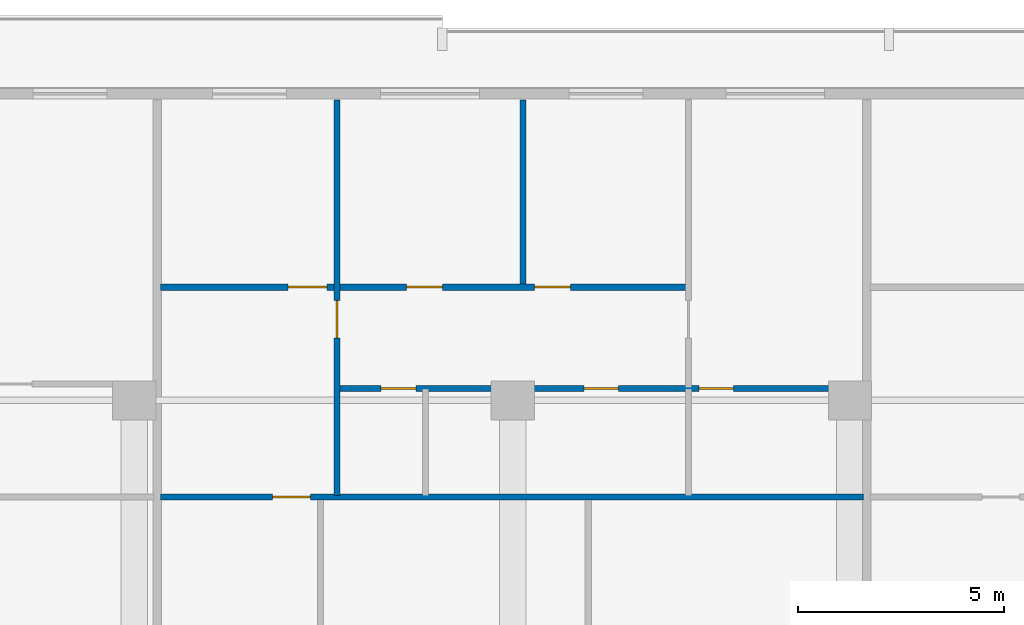
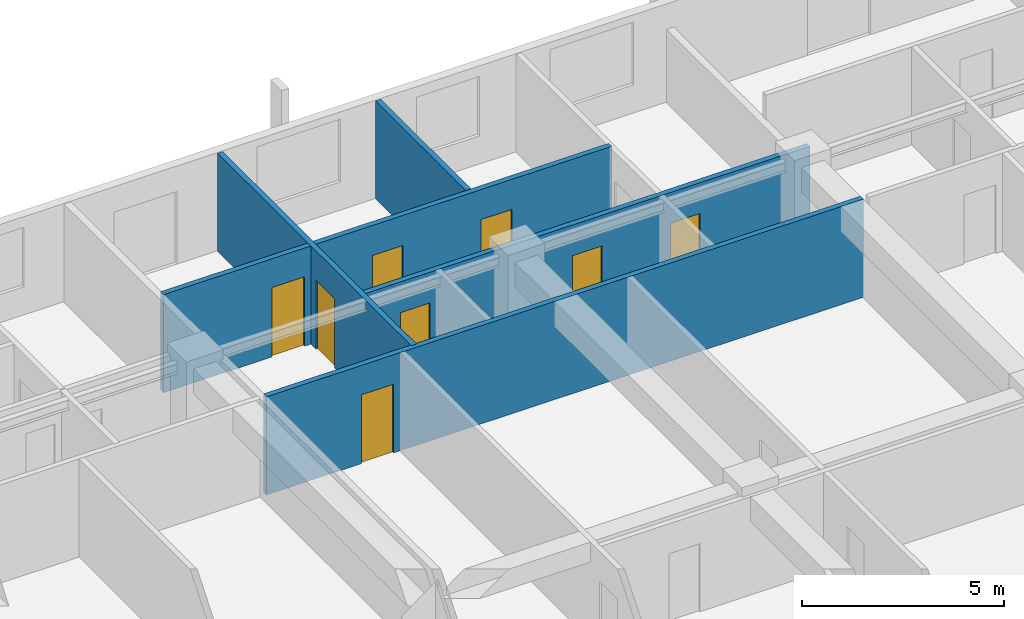
# One storey, part 15 of 23: 8 doors, 5 walls, 8 openings.
"""IFC4 building model written with IfcOpenShell, lengths in metres."""

from ifc_helpers import new_model, si_unit, direction, frame, frame_2d, origin, place, context, subcontext, project, spatial, rectangle, extrude, material, layer, layer_set, type_object, element, fill, save


model = new_model("IFC4")

# Units and contexts
model_context = context("Model", 3, precision=1e-05, world=origin(), true_north=direction((0.0, 1.0)))
body_context = subcontext(model_context, "Body", "Model", "MODEL_VIEW")
ifc_project = project(units=[si_unit("LENGTHUNIT", "METRE"), si_unit("AREAUNIT", "SQUARE_METRE"), si_unit("VOLUMEUNIT", "CUBIC_METRE"), si_unit("PLANEANGLEUNIT", "RADIAN"), si_unit("MASSUNIT", "GRAM", prefix="KILO")], contexts=[model_context])

# Site, building, storey
site_placement = place(None, origin())
site = spatial("IfcSite", under=ifc_project, at=site_placement, CompositionType="ELEMENT")
building_placement = place(site_placement, origin())
building = spatial("IfcBuilding", under=site, at=building_placement, Name="Korimba Cascade Residences", CompositionType="ELEMENT")
storey_placement = place(building_placement, frame((0.0, 0.0, 50.0)))
storey = spatial("IfcBuildingStorey", under=building, at=storey_placement, Name="L13", CompositionType="ELEMENT", Elevation=50.0)

# Wall
ifc_material_1 = material(Name="Insulated Acoustic Stud Partition", Category="gypsum")
ifc_layer = layer(ifc_material_1, 0.14990234375)
ifc_layer_set = layer_set([ifc_layer], Name="Insulated Acoustic Stud Partition")
wall_type = type_object("IfcWallType", Name="WAL-PART-150", PredefinedType="PARTITIONING", material=ifc_layer_set)
wall_1_placement = place(storey_placement, frame((112.35107421875, 94.030029296875, 0.0), z_axis=(0.0, 0.0, 1.0), x_axis=(0.0, 1.0, 0.0)))
element("IfcWall", 1, at=wall_1_placement, inside=storey, type_object=wall_type, Name="L13 Partition Wall WAL-L13-T1-U04-VSTD", PredefinedType="PARTITIONING", context=body_context, shape_type="SweptSolid", body=[
    extrude(rectangle(XDim=4.469970703125, YDim=0.14990234375, at=frame_2d((2.23486328125, 0.0))), origin(), (0.0, 0.0, 1.0), 2.969970703125),
])

# Wall, opening, door
wall_2_placement = place(storey_placement, frame((107.827392578125, 88.889892578125, 0.0), z_axis=(0.0, 0.0, 1.0), x_axis=(0.0, 1.0, 0.0)))
wall_2 = element("IfcWall", 2, at=wall_2_placement, inside=storey, type_object=wall_type, Name="L13 Partition Wall WAL-L13-T1-U04-V1", PredefinedType="PARTITIONING", context=body_context, shape_type="SweptSolid", body=[
    extrude(rectangle(XDim=9.610107421875, YDim=0.14990234375, at=frame_2d((4.80517578125, 0.0))), origin(), (0.0, 0.0, 1.0), 2.969970703125),
])
opening_1_placement = place(wall_2_placement, frame((3.820068359375, 0.0, 0.0)))
opening_1 = element("IfcOpeningElement", 3, at=opening_1_placement, cuts=wall_2, Name="Opening D-IN1", PredefinedType="OPENING", context=body_context, shape_type="SweptSolid", body=[
    extrude(rectangle(XDim=0.919921875, YDim=2.080078125, at=frame_2d((0.4599609375, 1.0400390625))), frame((0.0, 0.0849609375, 0.0), z_axis=(0.0, -1.0, 0.0), x_axis=(1.0, 0.0, 0.0)), (0.0, 0.0, 1.0), 0.169921875),
])
ifc_material_2 = material(Name="Acoustic Timber Living Door", Category="wood")
door_type_1 = type_object("IfcDoorType", Name="DR-INT-920", OperationType="NOTDEFINED", PredefinedType="DOOR", material=ifc_material_2)
door_1_placement = place(opening_1_placement, origin())
door_1 = element("IfcDoor", 4, at=door_1_placement, inside=storey, type_object=door_type_1, Name="L13-T1-U04 Hallway Door", OperationType="SINGLE_SWING_LEFT", OverallHeight=2.080078125, OverallWidth=0.919921875, PredefinedType="DOOR", context=body_context, shape_type="SweptSolid", body=[
    extrude(rectangle(XDim=0.919921875, YDim=2.080078125, at=frame_2d((0.4599609375, 1.0400390625))), frame((0.0, 0.02490234375, 0.0), z_axis=(0.0, -1.0, 0.0), x_axis=(1.0, 0.0, 0.0)), (0.0, 0.0, 1.0), 0.050048828125),
])
fill(opening_1, door_1)

# Wall, openings, doors
wall_3_placement = place(storey_placement, frame((107.867431640625, 91.489990234375, 0.0), z_axis=(0.0, 0.0, 1.0), x_axis=(1.0, 0.0, 0.0)))
wall_3 = element("IfcWall", 5, at=wall_3_placement, inside=storey, type_object=wall_type, Name="L13 Partition Wall WAL-L13-T1-U04-HWALL", PredefinedType="PARTITIONING", context=body_context, shape_type="SweptSolid", body=[
    extrude(rectangle(XDim=12.757080078125, YDim=0.14990234375, at=frame_2d((6.37841796875, 0.0))), origin(), (0.0, 0.0, 1.0), 2.969970703125),
])
opening_2_placement = place(wall_3_placement, frame((1.033935546875, 0.0, 0.0)))
opening_2 = element("IfcOpeningElement", 6, at=opening_2_placement, cuts=wall_3, Name="Opening D-BT1", PredefinedType="OPENING", context=body_context, shape_type="SweptSolid", body=[
    extrude(rectangle(XDim=0.840087890625, YDim=2.0400390625, at=frame_2d((0.419921875, 1.02001953125))), frame((0.0, 0.0849609375, 0.0), z_axis=(0.0, -1.0, 0.0), x_axis=(1.0, 0.0, 0.0)), (0.0, 0.0, 1.0), 0.169921875),
])
opening_3_placement = place(wall_3_placement, frame((5.95849609375, 0.0, 0.0)))
opening_3 = element("IfcOpeningElement", 7, at=opening_3_placement, cuts=wall_3, Name="Opening D-BT1", PredefinedType="OPENING", context=body_context, shape_type="SweptSolid", body=[
    extrude(rectangle(XDim=0.840087890625, YDim=2.0400390625, at=frame_2d((0.419921875, 1.02001953125))), frame((0.0, 0.0849609375, 0.0), z_axis=(0.0, -1.0, 0.0), x_axis=(1.0, 0.0, 0.0)), (0.0, 0.0, 1.0), 0.169921875),
])
opening_4_placement = place(wall_3_placement, frame((8.757080078125, 0.0, 0.0)))
opening_4 = element("IfcOpeningElement", 8, at=opening_4_placement, cuts=wall_3, Name="Opening D-BT1", PredefinedType="OPENING", context=body_context, shape_type="SweptSolid", body=[
    extrude(rectangle(XDim=0.840087890625, YDim=2.0400390625, at=frame_2d((0.419921875, 1.02001953125))), frame((0.0, 0.0849609375, 0.0), z_axis=(0.0, -1.0, 0.0), x_axis=(1.0, 0.0, 0.0)), (0.0, 0.0, 1.0), 0.169921875),
])
ifc_material_3 = material(Name="Moisture-Resistant Bathroom Timber Door", Category="wood")
door_type_2 = type_object("IfcDoorType", Name="DR-INT-850", OperationType="NOTDEFINED", PredefinedType="DOOR", material=ifc_material_3)
door_2_placement = place(opening_2_placement, origin())
door_2 = element("IfcDoor", 9, at=door_2_placement, inside=storey, type_object=door_type_2, Name="L13-T1-U04 Family Bathroom Door", OperationType="SINGLE_SWING_LEFT", OverallHeight=2.0400390625, OverallWidth=0.840087890625, PredefinedType="DOOR", context=body_context, shape_type="SweptSolid", body=[
    extrude(rectangle(XDim=0.840087890625, YDim=2.0400390625, at=frame_2d((0.419921875, 1.02001953125))), frame((0.0, 0.02490234375, 0.0), z_axis=(0.0, -1.0, 0.0), x_axis=(1.0, 0.0, 0.0)), (0.0, 0.0, 1.0), 0.050048828125),
])
fill(opening_2, door_2)
door_3_placement = place(opening_3_placement, origin())
door_3 = element("IfcDoor", 10, at=door_3_placement, inside=storey, type_object=door_type_2, Name="L13-T1-U04 Dressing Room Door", OperationType="SINGLE_SWING_RIGHT", OverallHeight=2.0400390625, OverallWidth=0.840087890625, PredefinedType="DOOR", context=body_context, shape_type="SweptSolid", body=[
    extrude(rectangle(XDim=0.840087890625, YDim=2.0400390625, at=frame_2d((0.419921875, 1.02001953125))), frame((0.0, 0.02490234375, 0.0), z_axis=(0.0, -1.0, 0.0), x_axis=(1.0, 0.0, 0.0)), (0.0, 0.0, 1.0), 0.050048828125),
])
fill(opening_3, door_3)
door_4_placement = place(opening_4_placement, origin())
door_4 = element("IfcDoor", 11, at=door_4_placement, inside=storey, type_object=door_type_2, Name="L13-T1-U04 En-Suite Door", OperationType="SINGLE_SWING_LEFT", OverallHeight=2.0400390625, OverallWidth=0.840087890625, PredefinedType="DOOR", context=body_context, shape_type="SweptSolid", body=[
    extrude(rectangle(XDim=0.840087890625, YDim=2.0400390625, at=frame_2d((0.419921875, 1.02001953125))), frame((0.0, 0.02490234375, 0.0), z_axis=(0.0, -1.0, 0.0), x_axis=(1.0, 0.0, 0.0)), (0.0, 0.0, 1.0), 0.050048828125),
])
fill(opening_4, door_4)

# Wall, opening, door
wall_4_placement = place(storey_placement, frame((103.53759765625, 88.85009765625, 0.0), z_axis=(0.0, 0.0, 1.0), x_axis=(1.0, 0.0, 0.0)))
wall_4 = element("IfcWall", 12, at=wall_4_placement, inside=storey, type_object=wall_type, Name="L13 Partition Wall WAL-L13-T1-U04-MW", PredefinedType="PARTITIONING", context=body_context, shape_type="SweptSolid", body=[
    extrude(rectangle(XDim=17.0869140625, YDim=0.14990234375, at=frame_2d((8.54345703125, 0.0))), origin(), (0.0, 0.0, 1.0), 2.969970703125),
])
opening_5_placement = place(wall_4_placement, frame((2.719970703125, 0.0, 0.0)))
opening_5 = element("IfcOpeningElement", 13, at=opening_5_placement, cuts=wall_4, Name="Opening D-IN1", PredefinedType="OPENING", context=body_context, shape_type="SweptSolid", body=[
    extrude(rectangle(XDim=0.919921875, YDim=2.080078125, at=frame_2d((0.4599609375, 1.0400390625))), frame((0.0, 0.0849609375, 0.0), z_axis=(0.0, -1.0, 0.0), x_axis=(1.0, 0.0, 0.0)), (0.0, 0.0, 1.0), 0.169921875),
])
door_5_placement = place(opening_5_placement, origin())
door_5 = element("IfcDoor", 14, at=door_5_placement, inside=storey, type_object=door_type_1, Name="L13-T1-U04 Kitchen Door", OperationType="SINGLE_SWING_RIGHT", OverallHeight=2.080078125, OverallWidth=0.919921875, PredefinedType="DOOR", context=body_context, shape_type="SweptSolid", body=[
    extrude(rectangle(XDim=0.919921875, YDim=2.080078125, at=frame_2d((0.4599609375, 1.0400390625))), frame((0.0, 0.02490234375, 0.0), z_axis=(0.0, -1.0, 0.0), x_axis=(1.0, 0.0, 0.0)), (0.0, 0.0, 1.0), 0.050048828125),
])
fill(opening_5, door_5)

# Wall, openings, doors
wall_5_placement = place(storey_placement, frame((103.53759765625, 93.949951171875, 0.0), z_axis=(0.0, 0.0, 1.0), x_axis=(1.0, 0.0, 0.0)))
wall_5 = element("IfcWall", 15, at=wall_5_placement, inside=storey, type_object=wall_type, Name="L13 Partition Wall WAL-L13-T1-U04-HZ", PredefinedType="PARTITIONING", context=body_context, shape_type="SweptSolid", body=[
    extrude(rectangle(XDim=12.8369140625, YDim=0.14990234375, at=frame_2d((6.41845703125, 0.0))), origin(), (0.0, 0.0, 1.0), 2.969970703125),
])
opening_6_placement = place(wall_5_placement, frame((3.10009765625, 0.0, 0.0)))
opening_6 = element("IfcOpeningElement", 16, at=opening_6_placement, cuts=wall_5, Name="Opening D-IN0", PredefinedType="OPENING", context=body_context, shape_type="SweptSolid", body=[
    extrude(rectangle(XDim=0.93994140625, YDim=2.10009765625, at=frame_2d((0.469970703125, 1.050048828125))), frame((0.0, 0.0849609375, 0.0), z_axis=(0.0, -1.0, 0.0), x_axis=(1.0, 0.0, 0.0)), (0.0, 0.0, 1.0), 0.169921875),
])
opening_7_placement = place(wall_5_placement, frame((5.978515625, 0.0, 0.0)))
opening_7 = element("IfcOpeningElement", 17, at=opening_7_placement, cuts=wall_5, Name="Opening D-IN2", PredefinedType="OPENING", context=body_context, shape_type="SweptSolid", body=[
    extrude(rectangle(XDim=0.8798828125, YDim=2.06005859375, at=frame_2d((0.43994140625, 1.030029296875))), frame((0.0, 0.0849609375, 0.0), z_axis=(0.0, -1.0, 0.0), x_axis=(1.0, 0.0, 0.0)), (0.0, 0.0, 1.0), 0.169921875),
])
opening_8_placement = place(wall_5_placement, frame((9.087646484375, 0.0, 0.0)))
opening_8 = element("IfcOpeningElement", 18, at=opening_8_placement, cuts=wall_5, Name="Opening D-IN2", PredefinedType="OPENING", context=body_context, shape_type="SweptSolid", body=[
    extrude(rectangle(XDim=0.8798828125, YDim=2.06005859375, at=frame_2d((0.43994140625, 1.030029296875))), frame((0.0, 0.0849609375, 0.0), z_axis=(0.0, -1.0, 0.0), x_axis=(1.0, 0.0, 0.0)), (0.0, 0.0, 1.0), 0.169921875),
])
ifc_material_4 = material(Name="Acoustic Timber Bedroom Door", Category="wood")
door_type_3 = type_object("IfcDoorType", Name="DR-INT-880", OperationType="NOTDEFINED", PredefinedType="DOOR", material=ifc_material_4)
door_6_placement = place(opening_7_placement, origin())
door_6 = element("IfcDoor", 19, at=door_6_placement, inside=storey, type_object=door_type_3, Name="L13-T1-U04 Bedroom 2 Door", OperationType="SINGLE_SWING_RIGHT", OverallHeight=2.06005859375, OverallWidth=0.8798828125, PredefinedType="DOOR", context=body_context, shape_type="SweptSolid", body=[
    extrude(rectangle(XDim=0.8798828125, YDim=2.06005859375, at=frame_2d((0.43994140625, 1.030029296875))), frame((0.0, 0.02490234375, 0.0), z_axis=(0.0, -1.0, 0.0), x_axis=(1.0, 0.0, 0.0)), (0.0, 0.0, 1.0), 0.050048828125),
])
fill(opening_7, door_6)
door_7_placement = place(opening_8_placement, origin())
door_7 = element("IfcDoor", 20, at=door_7_placement, inside=storey, type_object=door_type_3, Name="L13-T1-U04 Study Door", OperationType="SINGLE_SWING_LEFT", OverallHeight=2.06005859375, OverallWidth=0.8798828125, PredefinedType="DOOR", context=body_context, shape_type="SweptSolid", body=[
    extrude(rectangle(XDim=0.8798828125, YDim=2.06005859375, at=frame_2d((0.43994140625, 1.030029296875))), frame((0.0, 0.02490234375, 0.0), z_axis=(0.0, -1.0, 0.0), x_axis=(1.0, 0.0, 0.0)), (0.0, 0.0, 1.0), 0.050048828125),
])
fill(opening_8, door_7)
ifc_material_5 = material(Name="Acoustic Timber Living Archway Door", Category="wood")
door_type_4 = type_object("IfcDoorType", Name="DR-INT-950", OperationType="NOTDEFINED", PredefinedType="DOOR", material=ifc_material_5)
door_8_placement = place(opening_6_placement, origin())
door_8 = element("IfcDoor", 21, at=door_8_placement, inside=storey, type_object=door_type_4, Name="L13-T1-U04 Living Room Door", OperationType="SINGLE_SWING_LEFT", OverallHeight=2.10009765625, OverallWidth=0.93994140625, PredefinedType="DOOR", context=body_context, shape_type="SweptSolid", body=[
    extrude(rectangle(XDim=0.93994140625, YDim=2.10009765625, at=frame_2d((0.469970703125, 1.050048828125))), frame((0.0, 0.02490234375, 0.0), z_axis=(0.0, -1.0, 0.0), x_axis=(1.0, 0.0, 0.0)), (0.0, 0.0, 1.0), 0.050048828125),
])
fill(opening_6, door_8)

save(model, "model.ifc")
